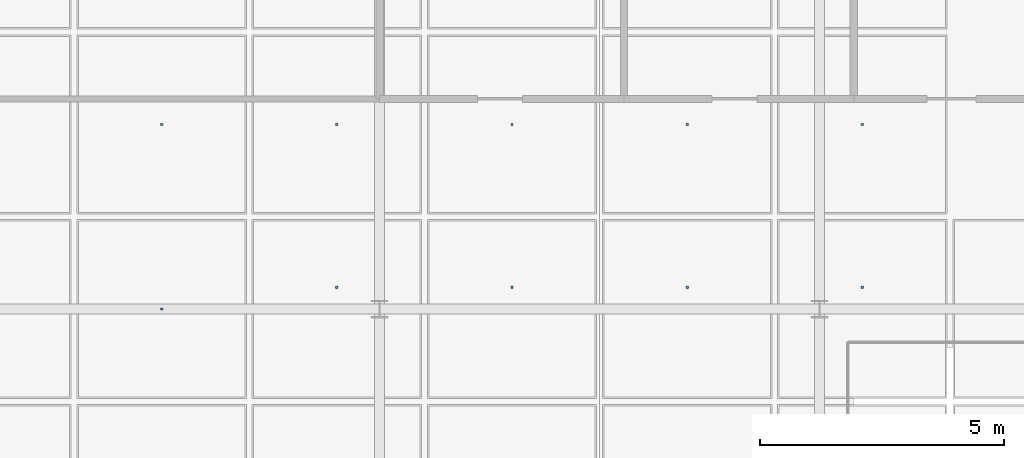
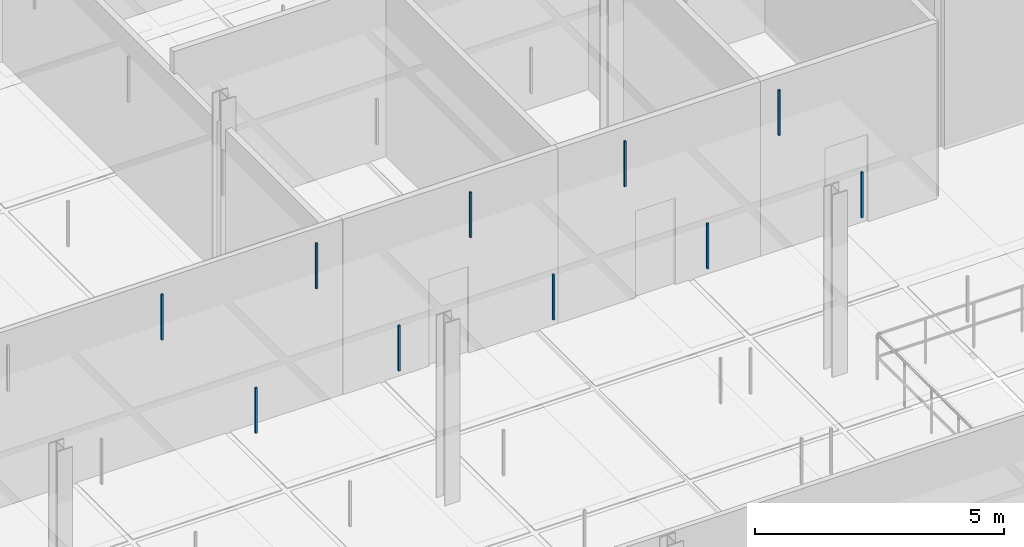
# One storey, part 101 of 140: 10 discrete accessories.
"""IFC4 building model written with IfcOpenShell, lengths in metres."""

from ifc_helpers import new_model, si_unit, direction, frame, origin, origin_2d, place, context, subcontext, project, spatial, rectangle, extrude, material, type_object, element, save


model = new_model("IFC4")

# Units and contexts
model_context = context("Model", 3, precision=1e-05, world=origin(), true_north=direction((0.0, 1.0)))
body_context = subcontext(model_context, "Body", "Model", "MODEL_VIEW")
ifc_project = project(units=[si_unit("LENGTHUNIT", "METRE"), si_unit("AREAUNIT", "SQUARE_METRE"), si_unit("VOLUMEUNIT", "CUBIC_METRE"), si_unit("PLANEANGLEUNIT", "RADIAN"), si_unit("MASSUNIT", "GRAM", prefix="KILO"), si_unit("THERMODYNAMICTEMPERATUREUNIT", "KELVIN"), si_unit("POWERUNIT", "WATT")], contexts=[model_context])

# Site, building, storey
site_placement = place(None, origin())
site = spatial("IfcSite", under=ifc_project, at=site_placement, CompositionType="ELEMENT")
building_placement = place(site_placement, origin())
building = spatial("IfcBuilding", under=site, at=building_placement, Name="Tallowbark Science Centre", CompositionType="ELEMENT")
storey_placement = place(building_placement, frame((0.0, 0.0, 9.89990234375)))
storey = spatial("IfcBuildingStorey", under=building, at=storey_placement, Name="L02", CompositionType="ELEMENT", Elevation=9.89990234375)

# Discrete accessories
ifc_material = material(Name="Galvanised Steel Grade C350L0 (350 MPa)", Category="steel")
discrete_accessory_type = type_object("IfcDiscreteAccessoryType", Name="ACC-CLG-HNG", PredefinedType="BRACKET", material=ifc_material)
for number, where, z_axis, x_axis, name in (
    (1, (72.041748046875, 22.5, 3.20947265625), (0.0, 0.0, 1.0), (1.0, 0.0, 0.0), "Ceiling Hanger Bracket L02-787"),
    (2, (72.041748046875, 26.27783203125, 3.20947265625), (0.0, 0.0, 1.0), (1.0, 0.0, 0.0), "Ceiling Hanger Bracket L02-788"),
    (3, (75.625, 22.949462890625, 3.20947265625), (0.0, 0.0, 1.0), (1.0, 0.0, 0.0), "Ceiling Hanger Bracket L02-796"),
    (4, (75.625, 26.27783203125, 3.20947265625), (0.0, 0.0, 1.0), (1.0, 0.0, 0.0), "Ceiling Hanger Bracket L02-797"),
    (5, (79.208251953125, 22.949462890625, 3.20947265625), (0.0, 0.0, 1.0), (1.0, 0.0, 0.0), "Ceiling Hanger Bracket L02-805"),
    (6, (79.208251953125, 26.27783203125, 3.20947265625), (0.0, 0.0, 1.0), (1.0, 0.0, 0.0), "Ceiling Hanger Bracket L02-806"),
    (7, (82.791748046875, 22.949462890625, 3.20947265625), (0.0, 0.0, 1.0), (1.0, 0.0, 0.0), "Ceiling Hanger Bracket L02-814"),
    (8, (82.791748046875, 26.27783203125, 3.20947265625), (0.0, 0.0, 1.0), (1.0, 0.0, 0.0), "Ceiling Hanger Bracket L02-815"),
    (9, (86.375, 22.949462890625, 3.20947265625), (0.0, 0.0, 1.0), (1.0, 0.0, 0.0), "Ceiling Hanger Bracket L02-823"),
    (10, (86.375, 26.27783203125, 3.20947265625), (0.0, 0.0, 1.0), (1.0, 0.0, 0.0), "Ceiling Hanger Bracket L02-824"),
):
    element("IfcDiscreteAccessory", number, at=place(storey_placement, frame(where, z_axis=z_axis, x_axis=x_axis)), inside=storey, type_object=discrete_accessory_type, Name=name, PredefinedType="BRACKET", context=body_context, shape_type="SweptSolid", body=[
        extrude(rectangle(XDim=0.044921875, YDim=0.044921875, at=origin_2d()), origin(), (0.0, 0.0, 1.0), 1.113525390625),
    ])

save(model, "model.ifc")
